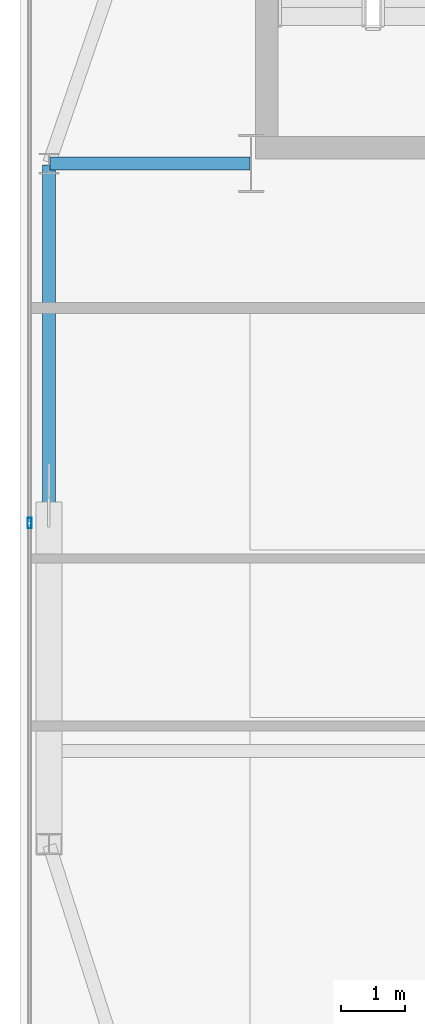
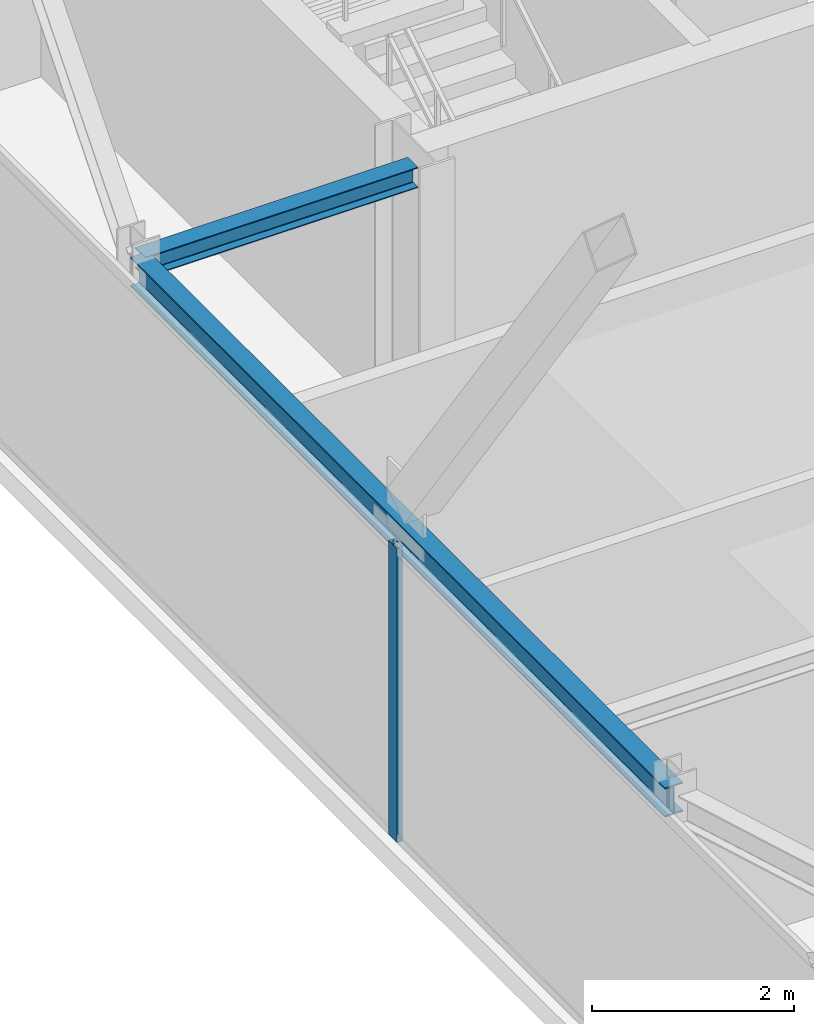
# One storey, part 10 of 24: 2 beams, 1 member, 1 element without a shape of its own.
"""IFC4 building model written with IfcOpenShell, lengths in metres."""

from ifc_helpers import new_model, si_unit, direction, frame, origin, origin_2d, place, context, subcontext, project, spatial, hollow_rectangle, i_section, extrude, source, transform, mapped, material, layer, layer_set, material_profile, profile_set, type_object, type_shapes, element, aggregate, save


model = new_model("IFC4")

# Units and contexts
model_context = context("Model", 3, precision=1e-05, world=origin(), true_north=direction((0.0, 1.0)))
body_context = subcontext(model_context, "Body", "Model", "MODEL_VIEW")
ifc_project = project(units=[si_unit("LENGTHUNIT", "METRE"), si_unit("AREAUNIT", "SQUARE_METRE"), si_unit("VOLUMEUNIT", "CUBIC_METRE"), si_unit("PLANEANGLEUNIT", "RADIAN"), si_unit("MASSUNIT", "GRAM", prefix="KILO")], contexts=[model_context])

# Site, building, storey
site_placement = place(None, origin())
site = spatial("IfcSite", under=ifc_project, at=site_placement, CompositionType="ELEMENT")
building_placement = place(site_placement, origin())
building = spatial("IfcBuilding", under=site, at=building_placement, Name="Varnel Quay Broadcast Tower", CompositionType="ELEMENT")
storey_placement = place(building_placement, frame((0.0, 0.0, 262.199951171875)))
storey = spatial("IfcBuildingStorey", under=building, at=storey_placement, Name="L65", CompositionType="ELEMENT", Elevation=262.199951171875)

# Beams
ifc_material_1 = material(Name="Structural Steel CSA G40.21 350W", Category="steel")
ifc_material_profile_1 = material_profile(ifc_material_1, i_section(OverallWidth=0.205078125, OverallDepth=0.35400390625, WebThickness=0.009521484375, FlangeThickness=0.016845703125, FilletRadius=0.012939453125, at=origin_2d()), Name="W360X79")
ifc_profile_set_1 = profile_set([ifc_material_profile_1], Name="Structural Steel CSA G40.21 350W")
beam_type_1 = type_object("IfcBeamType", Name="Beam_W360X79", PredefinedType="SPANDREL", material=ifc_profile_set_1)
shared_shape_1 = source(origin(), body_context, "Body", "SweptSolid", [
    extrude(i_section(OverallWidth=0.205078125, OverallDepth=0.35400390625, WebThickness=0.009521484375, FlangeThickness=0.016845703125, FilletRadius=0.012939453125, at=origin_2d()), origin(), (0.0, 0.0, 1.0), 10.56005859375),
])
type_shapes(beam_type_1, [shared_shape_1])
beam_1_placement = place(storey_placement, frame((12.449951171875, 25.02001953125, 3.373046875), z_axis=(0.0, 1.0, 0.0), x_axis=(-1.0, 0.0, 0.0)))
element("IfcBeam", 1, at=beam_1_placement, inside=storey, type_object=beam_type_1, Name="L65 West Spandrel TC-W1-TC-W2", PredefinedType="SPANDREL", context=body_context, shape_type="MappedRepresentation", body=[
    mapped(shared_shape_1, transform((0.0, 0.0, 0.0), x_axis=(1.0, 0.0, 0.0), y_axis=(0.0, 1.0, 0.0), z_axis=(0.0, 0.0, 1.0), scale=1.0)),
])
ifc_material_profile_2 = material_profile(ifc_material_1, i_section(OverallWidth=0.201904296875, OverallDepth=0.2470703125, WebThickness=0.00732421875, FlangeThickness=0.010986328125, FilletRadius=0.010986328125, at=origin_2d()), Name="W250X49")
ifc_profile_set_2 = profile_set([ifc_material_profile_2], Name="Structural Steel CSA G40.21 350W")
beam_type_2 = type_object("IfcBeamType", Name="Beam_W250X49", PredefinedType="JOIST", material=ifc_profile_set_2)
shared_shape_2 = source(origin(), body_context, "Body", "SweptSolid", [
    extrude(i_section(OverallWidth=0.201904296875, OverallDepth=0.2470703125, WebThickness=0.00732421875, FlangeThickness=0.010986328125, FilletRadius=0.010986328125, at=origin_2d()), origin(), (0.0, 0.0, 1.0), 3.110107421875),
])
type_shapes(beam_type_2, [shared_shape_2])
beam_2_placement = place(storey_placement, frame((12.469970703125, 35.60009765625, 3.426513671875), z_axis=(1.0, 0.0, 0.0), x_axis=(0.0, 1.0, 0.0)))
element("IfcBeam", 2, at=beam_2_placement, inside=storey, type_object=beam_type_2, Name="L65 West Core Tie Joist", PredefinedType="JOIST", context=body_context, shape_type="MappedRepresentation", body=[
    mapped(shared_shape_2, transform((0.0, 0.0, 0.0), x_axis=(1.0, 0.0, 0.0), y_axis=(0.0, 1.0, 0.0), z_axis=(0.0, 0.0, 1.0), scale=1.0)),
])

# Curtain wall, member
ifc_material_2 = material(Name="Anodised Bronze Aluminium 6063-T6", Category="aluminium")
ifc_layer = layer(ifc_material_2, 0.18994140625, Name="Anodised Bronze Aluminium 6063-T6")
ifc_layer_set = layer_set([ifc_layer], Name="Anodised Bronze Aluminium 6063-T6")
curtain_wall_type = type_object("IfcCurtainWallType", Name="CW_UpperTower", PredefinedType="NOTDEFINED", material=ifc_layer_set)
curtain_wall_placement = place(storey_placement, origin())
curtain_wall = element("IfcCurtainWall", 3, at=curtain_wall_placement, inside=storey, type_object=curtain_wall_type, Name="L65 West Unitised Curtain Wall", PredefinedType="NOTDEFINED")
ifc_material_profile_3 = material_profile(ifc_material_2, hollow_rectangle(XDim=0.06494140625, YDim=0.1650390625, WallThickness=0.00341796875, at=origin_2d()), Name="ALU65X165X3.5")
ifc_profile_set_3 = profile_set([ifc_material_profile_3], Name="Anodised Bronze Aluminium 6063-T6")
member_type = type_object("IfcMemberType", Name="Mull_CWS-03", PredefinedType="MULLION", material=ifc_profile_set_3)
shared_shape_3 = source(origin(), body_context, "Body", "SweptSolid", [
    extrude(hollow_rectangle(XDim=0.06494140625, YDim=0.1650390625, WallThickness=0.00341796875, at=origin_2d()), origin(), (0.0, 0.0, 1.0), 3.550048828125),
])
type_shapes(member_type, [shared_shape_3])
member_placement = place(storey_placement, frame((12.14990234375, 30.0, 0.0), z_axis=(0.0, 0.0, 1.0), x_axis=(-1.0, 0.0, 0.0)))
member = element("IfcMember", 4, at=member_placement, type_object=member_type, Name="CWS-03 mullion 2", PredefinedType="MULLION", context=body_context, shape_type="MappedRepresentation", body=[
    mapped(shared_shape_3, transform((0.0, 0.0, 0.0), x_axis=(1.0, 0.0, 0.0), y_axis=(0.0, 1.0, 0.0), z_axis=(0.0, 0.0, 1.0), scale=1.0)),
])
aggregate(curtain_wall, [member])

save(model, "model.ifc")
